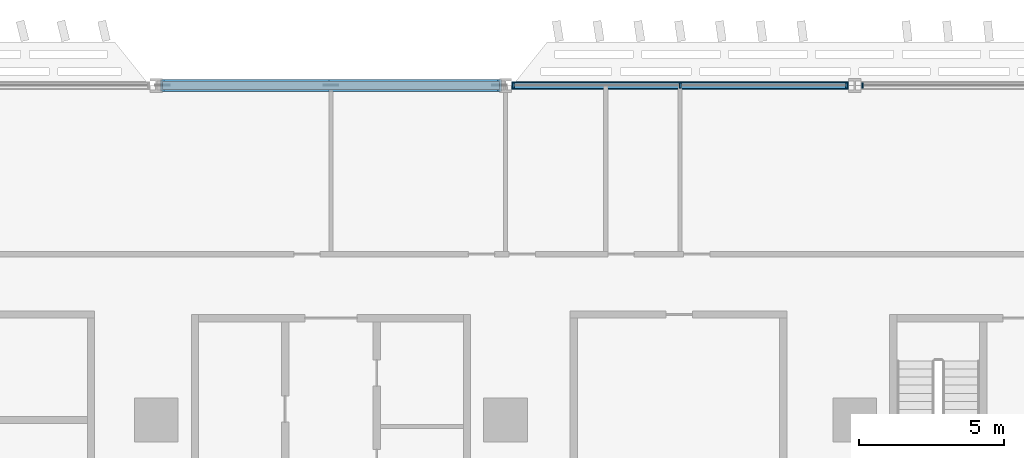
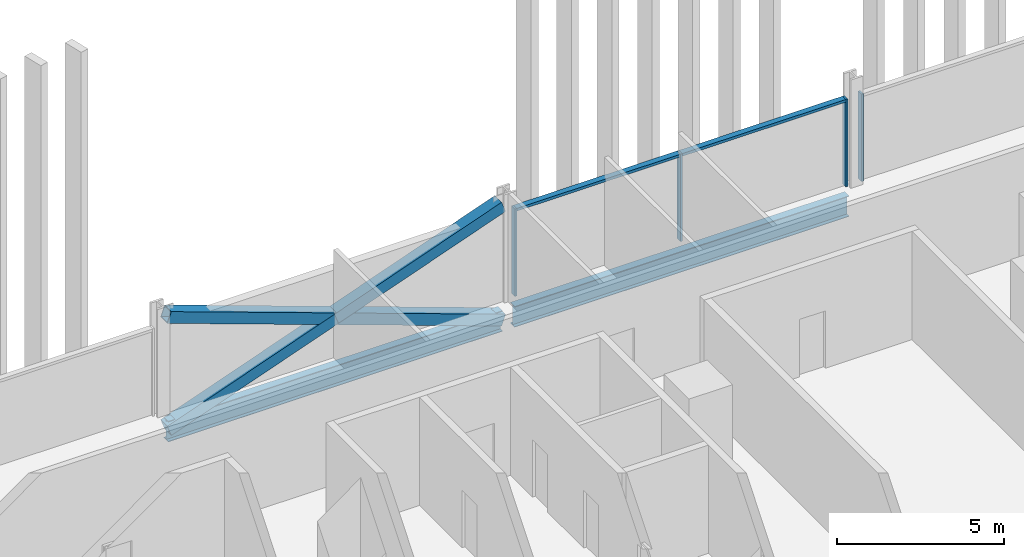
# One storey, part 7 of 29: 9 members, 2 beams, 2 elements without a shape of their own.
"""IFC4 building model written with IfcOpenShell, lengths in metres."""

import ifcopenshell
import ifcopenshell.guid

model = None  # the IFC model being written
_history = None  # IfcOwnerHistory: only IFC2X3 demands one
_inside = {}  # id of a spatial element -> (the spatial element, [elements in it])
_under = {}  # id of a project, library or spatial element -> (it, [spatial elements below it])
_declared = {}  # id of a project -> (the project, [libraries it declares])
_typed = {}  # id of a type object -> (the type object, [elements of that type])
_made_of = {}  # id of a material, layer set ... -> (it, [elements and type objects made of it])


def new_model(schema):
    """Start an empty IFC model of exactly this schema.

    Asked for "IFC4X3", IfcOpenShell would pick the latest addendum, in which some entities
    have other attributes; the version numbers below select the first issue.
    IFC2X3 requires an IfcOwnerHistory on every rooted entity: one is made here for all.
    """
    global model, _history
    if schema == "IFC4X3":
        model = ifcopenshell.file(schema_version=(4, 3, 0, 0))
    else:
        model = ifcopenshell.file(schema=schema)
    _inside.clear()
    _under.clear()
    _declared.clear()
    _typed.clear()
    _made_of.clear()
    _history = None
    if model.schema == "IFC2X3":
        org = make("IfcOrganization", Name="unknown")
        user = make(
            "IfcPersonAndOrganization",
            ThePerson=make("IfcPerson", FamilyName="unknown"),
            TheOrganization=org,
        )
        app = make(
            "IfcApplication",
            ApplicationDeveloper=org,
            Version="unknown",
            ApplicationFullName="unknown",
            ApplicationIdentifier="unknown",
        )
        _history = make(
            "IfcOwnerHistory",
            OwningUser=user,
            OwningApplication=app,
            ChangeAction="ADDED",
            CreationDate=0,
        )
    return model


def make(cls, **values):
    """One entity of the class cls with the attributes given. An attribute that is None is left unset."""
    return model.create_entity(
        cls, **{name: value for name, value in values.items() if value is not None}
    )


def rooted(cls, **values):
    """An entity with a GlobalId (a new one), such as an element, a storey or a relation."""
    return make(cls, GlobalId=ifcopenshell.guid.new(), OwnerHistory=_history, **values)


def si_unit(unit_type, name, prefix=None):
    """IfcSIUnit, for example si_unit("LENGTHUNIT", "METRE", prefix="MILLI")."""
    return make("IfcSIUnit", UnitType=unit_type, Prefix=prefix, Name=name)


def assignment(units):
    """IfcUnitAssignment: the units of a project."""
    return None if units is None else make("IfcUnitAssignment", Units=units)


def point(xyz):
    """IfcCartesianPoint."""
    return None if xyz is None else make("IfcCartesianPoint", Coordinates=xyz)


def direction(xyz):
    """IfcDirection."""
    return None if xyz is None else make("IfcDirection", DirectionRatios=xyz)


def frame(location, z_axis=None, x_axis=None):
    """IfcAxis2Placement3D, a coordinate frame: its origin and axes. An axis left out is left unset."""
    return make(
        "IfcAxis2Placement3D",
        Location=point(location),
        Axis=direction(z_axis),
        RefDirection=direction(x_axis),
    )


def frame_2d(location, x_axis=None):
    """IfcAxis2Placement2D, a coordinate frame in the plane: its origin and x axis."""
    return make(
        "IfcAxis2Placement2D", Location=point(location), RefDirection=direction(x_axis)
    )


def origin():
    """The frame at (0, 0, 0) with its axes left unset."""
    return frame((0.0, 0.0, 0.0))


def origin_2d():
    """The frame at (0, 0) in the plane with its x axis left unset."""
    return frame_2d((0.0, 0.0))


def place(relative_to, where):
    """IfcLocalPlacement: puts the frame where relative to a parent placement (None: the world)."""
    return make(
        "IfcLocalPlacement", PlacementRelTo=relative_to, RelativePlacement=where
    )


def context(
    kind, dimensions, precision=None, world=None, true_north=None, identifier=None
):
    """IfcGeometricRepresentationContext, for example the 3D "Model" context."""
    return make(
        "IfcGeometricRepresentationContext",
        ContextIdentifier=identifier,
        ContextType=kind,
        CoordinateSpaceDimension=dimensions,
        Precision=precision,
        WorldCoordinateSystem=world,
        TrueNorth=true_north,
    )


def subcontext(parent, identifier, kind, view, scale=None):
    """IfcGeometricRepresentationSubContext, for example "Body" below "Model"."""
    return make(
        "IfcGeometricRepresentationSubContext",
        ContextIdentifier=identifier,
        ContextType=kind,
        ParentContext=parent,
        TargetScale=scale,
        TargetView=view,
    )


def project(units=None, contexts=None):
    """IfcProject with its units and contexts."""
    return rooted(
        "IfcProject",
        Name="project",
        RepresentationContexts=contexts,
        UnitsInContext=assignment(units),
    )


def spatial(cls, under=None, at=None, **own):
    """A site, building, storey or space (cls), placed at a placement, below another one or the project."""
    s = rooted(cls, ObjectPlacement=at, **own)
    if under is not None:
        _under.setdefault(under.id(), (under, []))[1].append(s)
    return s


def profile(cls, at=None, kind="AREA", **sizes):
    """A parametric profile (cls). Its sizes go by their IFC names, for example OverallWidth=200.0."""
    return make(cls, ProfileType=kind, Position=at, **sizes)


def rectangle(**sizes):
    """IfcRectangleProfileDef."""
    return profile("IfcRectangleProfileDef", **sizes)


def hollow_rectangle(**sizes):
    """IfcRectangleHollowProfileDef."""
    return profile("IfcRectangleHollowProfileDef", **sizes)


def i_section(**sizes):
    """IfcIShapeProfileDef."""
    return profile("IfcIShapeProfileDef", **sizes)


def extrude(swept, where, along, depth):
    """IfcExtrudedAreaSolid: the profile swept, set in the frame where, extruded along a direction by depth."""
    return make(
        "IfcExtrudedAreaSolid",
        SweptArea=swept,
        Position=where,
        ExtrudedDirection=direction(along),
        Depth=depth,
    )


def shape(context_of_items, identifier, shape_type, items):
    """IfcShapeRepresentation: the items that make up one representation, for example the "Body"."""
    return make(
        "IfcShapeRepresentation",
        ContextOfItems=context_of_items,
        RepresentationIdentifier=identifier,
        RepresentationType=shape_type,
        Items=items,
    )


def material(Name=None, Category=None):
    """IfcMaterial."""
    return make("IfcMaterial", Name=Name, Category=Category)


def material_profile(
    of_material, cross_section, Name=None, Category=None, Priority=None
):
    """IfcMaterialProfile: a cross section and its material."""
    return make(
        "IfcMaterialProfile",
        Name=Name,
        Material=of_material,
        Profile=cross_section,
        Priority=Priority,
        Category=Category,
    )


def profile_set(profiles, Name=None, composite=None):
    """IfcMaterialProfileSet."""
    return make(
        "IfcMaterialProfileSet",
        Name=Name,
        MaterialProfiles=profiles,
        CompositeProfile=composite,
    )


def made_of(thing, what):
    """Note that an element or type object is made of a material, layer set ...; save() writes the relation."""
    if what is not None:
        _made_of.setdefault(what.id(), (what, []))[1].append(thing)
    return thing


def type_object(cls, material=None, **own):
    """A type object (cls), such as IfcWallType, which elements share."""
    return made_of(rooted(cls, **own), material)


def element(
    cls,
    number,
    at=None,
    inside=None,
    cuts=None,
    type_object=None,
    material=None,
    context=None,
    identifier="Body",
    shape_type=None,
    held_by="IfcProductDefinitionShape",
    body=None,
    shapes=None,
    **own,
):
    """One element of the class cls, such as IfcWall. Its Tag is "e" and its number.

    at: its placement. inside: the storey or other place that contains it. cuts: it is an
    opening in that element (IfcRelVoidsElement). A single representation is given by context,
    identifier, shape_type and body (its items); several are given by shapes. held_by: the class
    of the entity that holds the representations. save() writes the other relations.
    """
    e = rooted(cls, Tag="e%d" % number, ObjectPlacement=at, **own)
    if body is not None:
        shapes = [shape(context, identifier, shape_type, body)]
    if shapes is not None:
        e.Representation = make(held_by, Representations=shapes)
    if inside is not None:
        _inside.setdefault(inside.id(), (inside, []))[1].append(e)
    if cuts is not None:
        rooted(
            "IfcRelVoidsElement", RelatingBuildingElement=cuts, RelatedOpeningElement=e
        )
    if type_object is not None:
        _typed.setdefault(type_object.id(), (type_object, []))[1].append(e)
    return made_of(e, material)


def aggregate(whole, parts):
    """IfcRelAggregates: a whole, such as a stair, and the parts it consists of."""
    return rooted("IfcRelAggregates", RelatingObject=whole, RelatedObjects=parts)


def save(model, path):
    """Write the relations noted so far, then the file.

    IfcRelAggregates (storeys below a building ...), IfcRelContainedInSpatialStructure (elements
    in a storey), IfcRelDefinesByType, IfcRelAssociatesMaterial and IfcRelDeclares: one each for
    every whole, place, type object, material and project.
    """
    for whole, parts in _under.values():
        aggregate(whole, parts)
    for where, things in _inside.values():
        rooted(
            "IfcRelContainedInSpatialStructure",
            RelatedElements=things,
            RelatingStructure=where,
        )
    for kind, things in _typed.values():
        rooted("IfcRelDefinesByType", RelatedObjects=things, RelatingType=kind)
    for what, things in _made_of.values():
        rooted("IfcRelAssociatesMaterial", RelatedObjects=things, RelatingMaterial=what)
    for by, libraries in _declared.values():
        rooted("IfcRelDeclares", RelatingContext=by, RelatedDefinitions=libraries)
    model.write(path)


model = new_model("IFC4")

# Units and contexts
model_context = context("Model", 3, precision=1e-05, world=origin(), true_north=direction((0.0, 1.0)))
body_context = subcontext(model_context, "Body", "Model", "MODEL_VIEW")
ifc_project = project(units=[si_unit("LENGTHUNIT", "METRE"), si_unit("AREAUNIT", "SQUARE_METRE"), si_unit("VOLUMEUNIT", "CUBIC_METRE"), si_unit("PLANEANGLEUNIT", "RADIAN"), si_unit("MASSUNIT", "GRAM", prefix="KILO")], contexts=[model_context])

# Site, building, storey
site_placement = place(None, origin())
site = spatial("IfcSite", under=ifc_project, at=site_placement, CompositionType="ELEMENT")
building_placement = place(site_placement, origin())
building = spatial("IfcBuilding", under=site, at=building_placement, Name="Mahtab Terrace Research Tower", CompositionType="ELEMENT")
storey_placement = place(building_placement, frame((0.0, 0.0, 63.199951171875)))
storey = spatial("IfcBuildingStorey", under=building, at=storey_placement, Name="L14", CompositionType="ELEMENT", Elevation=63.199951171875)

# Members
ifc_material_1 = material(Name="Steel ASTM A500 Gr C", Category="steel")
ifc_material_profile_1 = material_profile(ifc_material_1, hollow_rectangle(XDim=0.406494140625, YDim=0.406494140625, WallThickness=0.01904296875, at=origin_2d()), Name="HSS16X16X3/4")
ifc_profile_set_1 = profile_set([ifc_material_profile_1], Name="Steel ASTM A500 Gr C")
member_type_1 = type_object("IfcMemberType", Name="HSS 16x16x3/4 brace XB161634", PredefinedType="BRACE", material=ifc_profile_set_1)
member_1_placement = place(storey_placement, frame((5.787841796875, 23.0, -0.642333984375), z_axis=(-0.941386519928, 0.0, 0.337329838731), x_axis=(0.0, -1.0, 0.0)))
element("IfcMember", 1, at=member_1_placement, inside=storey, type_object=member_type_1, Name="Exoskeleton brace L14 05 a", PredefinedType="BRACE", context=body_context, shape_type="SweptSolid", body=[
    extrude(hollow_rectangle(XDim=0.406494140625, YDim=0.406494140625, WallThickness=0.01904296875, at=origin_2d()), origin(), (0.0, 0.0, 1.0), 12.29638671875),
])
for number, where, z_axis, x_axis, name in (
    (2, (-5.787841796875, 23.0, -0.642333984375), (0.941386519928, 0.0, 0.337329838731), (0.0, 1.0, 0.0), "Exoskeleton brace L14 05 b1"),
    (3, (0.0, 23.0, 1.431640625), (0.941386519928, 0.0, 0.337329838731), (0.0, 1.0, 0.0), "Exoskeleton brace L14 05 b2"),
):
    element("IfcMember", number, at=place(storey_placement, frame(where, z_axis=z_axis, x_axis=x_axis)), inside=storey, type_object=member_type_1, Name=name, PredefinedType="BRACE", context=body_context, shape_type="SweptSolid", body=[
        extrude(hollow_rectangle(XDim=0.406494140625, YDim=0.406494140625, WallThickness=0.01904296875, at=origin_2d()), origin(), (0.0, 0.0, 1.0), 6.148193359375),
    ])

# Curtain wall, member
ifc_material_2 = material(Name="Laboratory ribbon curtain wall")
curtain_wall_type = type_object("IfcCurtainWallType", Name="Laboratory ribbon curtain wall", PredefinedType="NOTDEFINED", material=ifc_material_2)
curtain_wall_1_placement = place(storey_placement, origin())
curtain_wall_1 = element("IfcCurtainWall", 4, at=curtain_wall_1_placement, inside=storey, type_object=curtain_wall_type, Name="EN.L14.3.5", PredefinedType="NOTDEFINED")
ifc_material_3 = material(Name="Natural anodised aluminium", Category="aluminium")
ifc_material_profile_2 = material_profile(ifc_material_3, rectangle(XDim=0.199951171875, YDim=0.06494140625, at=origin_2d()), Name="MULLION 65x200")
ifc_profile_set_2 = profile_set([ifc_material_profile_2], Name="Natural anodised aluminium")
member_type_2 = type_object("IfcMemberType", Name="Laboratory ribbon curtain wall mullion", PredefinedType="MULLION", material=ifc_profile_set_2)
member_2_placement = place(storey_placement, frame((18.2705078125, 23.0, 0.0), z_axis=(0.0, 0.0, 1.0), x_axis=(0.0, -1.0, 0.0)))
member_2 = element("IfcMember", 5, at=member_2_placement, type_object=member_type_2, Name="CWL-2 mullion 3", PredefinedType="MULLION", context=body_context, shape_type="SweptSolid", body=[
    extrude(rectangle(XDim=0.199951171875, YDim=0.06494140625, at=origin_2d()), origin(), (0.0, 0.0, 1.0), 3.203125),
])
aggregate(curtain_wall_1, [member_2])

# Curtain wall, members
curtain_wall_2_placement = place(storey_placement, origin())
curtain_wall_2 = element("IfcCurtainWall", 6, at=curtain_wall_2_placement, inside=storey, type_object=curtain_wall_type, Name="EN.L14.3.6", PredefinedType="NOTDEFINED")
member_3_placement = place(storey_placement, frame((17.7294921875, 23.0, 0.0), z_axis=(0.0, 0.0, 1.0), x_axis=(0.0, -1.0, 0.0)))
member_3 = element("IfcMember", 7, at=member_3_placement, type_object=member_type_2, Name="CWL-2 mullion 1", PredefinedType="MULLION", context=body_context, shape_type="SweptSolid", body=[
    extrude(rectangle(XDim=0.199951171875, YDim=0.06494140625, at=origin_2d()), origin(), (0.0, 0.0, 1.0), 3.203125),
])
member_4_placement = place(storey_placement, frame((12.0, 23.0, 0.0), z_axis=(0.0, 0.0, 1.0), x_axis=(0.0, -1.0, 0.0)))
member_4 = element("IfcMember", 8, at=member_4_placement, type_object=member_type_2, Name="CWL-2 mullion 2", PredefinedType="MULLION", context=body_context, shape_type="SweptSolid", body=[
    extrude(rectangle(XDim=0.199951171875, YDim=0.06494140625, at=origin_2d()), origin(), (0.0, 0.0, 1.0), 3.203125),
])
member_5_placement = place(storey_placement, frame((6.2705078125, 23.0, 0.0), z_axis=(0.0, 0.0, 1.0), x_axis=(0.0, -1.0, 0.0)))
member_5 = element("IfcMember", 9, at=member_5_placement, type_object=member_type_2, Name="CWL-2 mullion 3", PredefinedType="MULLION", context=body_context, shape_type="SweptSolid", body=[
    extrude(rectangle(XDim=0.199951171875, YDim=0.06494140625, at=origin_2d()), origin(), (0.0, 0.0, 1.0), 3.203125),
])
ifc_material_profile_3 = material_profile(ifc_material_3, rectangle(XDim=0.199951171875, YDim=0.10009765625, at=origin_2d()), Name="TRANSOM 100x200")
ifc_profile_set_3 = profile_set([ifc_material_profile_3], Name="Natural anodised aluminium")
member_type_3 = type_object("IfcMemberType", Name="Laboratory ribbon curtain wall transom", PredefinedType="USERDEFINED", material=ifc_profile_set_3)
member_6_placement = place(storey_placement, frame((17.697021484375, 23.0, 3.153076171875), z_axis=(-1.0, 0.0, 0.0), x_axis=(0.0, -1.0, 0.0)))
member_6 = element("IfcMember", 10, at=member_6_placement, type_object=member_type_3, Name="CWL-2 transom 1", ObjectType="TRANSOM", PredefinedType="USERDEFINED", context=body_context, shape_type="SweptSolid", body=[
    extrude(rectangle(XDim=0.199951171875, YDim=0.10009765625, at=origin_2d()), origin(), (0.0, 0.0, 1.0), 5.66455078125),
])
member_7_placement = place(storey_placement, frame((11.967529296875, 23.0, 3.153076171875), z_axis=(-1.0, 0.0, 0.0), x_axis=(0.0, -1.0, 0.0)))
member_7 = element("IfcMember", 11, at=member_7_placement, type_object=member_type_3, Name="CWL-2 transom 2", ObjectType="TRANSOM", PredefinedType="USERDEFINED", context=body_context, shape_type="SweptSolid", body=[
    extrude(rectangle(XDim=0.199951171875, YDim=0.10009765625, at=origin_2d()), origin(), (0.0, 0.0, 1.0), 5.66455078125),
])
aggregate(curtain_wall_2, [member_3, member_4, member_5, member_6, member_7])

# Beams
ifc_material_4 = material(Name="Steel ASTM A992 Gr 50", Category="steel")
ifc_material_profile_4 = material_profile(ifc_material_4, i_section(OverallWidth=0.2666015625, OverallDepth=0.7568359375, WebThickness=0.013916015625, FlangeThickness=0.019287109375, at=origin_2d()), Name="W30X108")
ifc_profile_set_4 = profile_set([ifc_material_profile_4], Name="Steel ASTM A992 Gr 50")
beam_type = type_object("IfcBeamType", Name="W30x108 beam BS30108", PredefinedType="BEAM", material=ifc_profile_set_4)
for number, where, z_axis, x_axis, name in (
    (12, (17.787841796875, 23.0, -0.718505859375), (-1.0, 0.0, 0.0), (0.0, -1.0, 0.0), "Spandrel beam L14 04"),
    (13, (5.787841796875, 23.0, -0.718505859375), (-1.0, 0.0, 0.0), (0.0, -1.0, 0.0), "Spandrel beam L14 05"),
):
    element("IfcBeam", number, at=place(storey_placement, frame(where, z_axis=z_axis, x_axis=x_axis)), inside=storey, type_object=beam_type, Name=name, PredefinedType="BEAM", context=body_context, shape_type="SweptSolid", body=[
        extrude(i_section(OverallWidth=0.2666015625, OverallDepth=0.7568359375, WebThickness=0.013916015625, FlangeThickness=0.019287109375, at=origin_2d()), origin(), (0.0, 0.0, 1.0), 11.57568359375),
    ])

save(model, "model.ifc")
